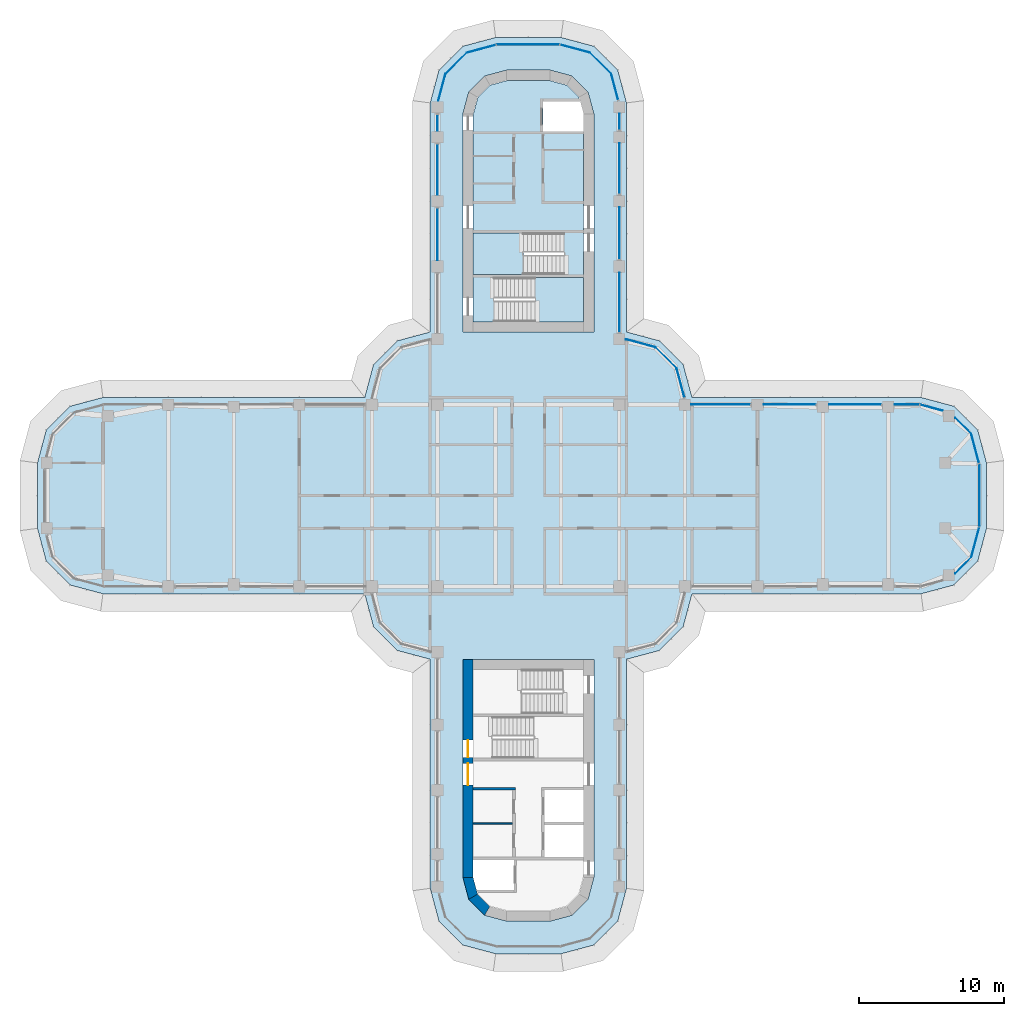
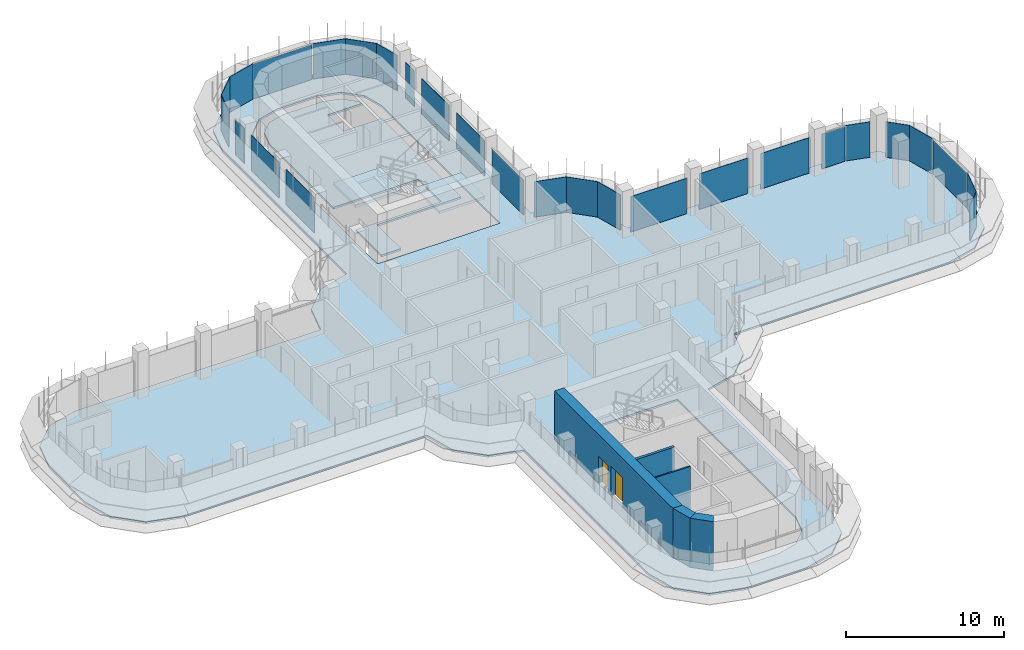
# One storey, part 12 of 19: 27 plates, 5 walls, 4 slabs, 2 doors, 2 openings, 21 elements without a shape of their own.
"""IFC4 building model written with IfcOpenShell, lengths in metres."""

from ifc_helpers import new_model, si_unit, direction, frame, frame_2d, origin, place, context, subcontext, project, spatial, polyline, rectangle, outline, extrude, source, transform, mapped, material, layer, layer_set, type_object, element, fill, aggregate, save


model = new_model("IFC4")

# Units and contexts
model_context = context("Model", 3, precision=1e-05, world=origin(), true_north=direction((0.0, 1.0)))
body_context = subcontext(model_context, "Body", "Model", "MODEL_VIEW")
ifc_project = project(units=[si_unit("LENGTHUNIT", "METRE"), si_unit("AREAUNIT", "SQUARE_METRE"), si_unit("VOLUMEUNIT", "CUBIC_METRE"), si_unit("PLANEANGLEUNIT", "RADIAN"), si_unit("MASSUNIT", "GRAM", prefix="KILO")], contexts=[model_context])

# Site, building, storey
site_placement = place(None, origin())
site = spatial("IfcSite", under=ifc_project, at=site_placement, CompositionType="ELEMENT")
building_placement = place(site_placement, origin())
building = spatial("IfcBuilding", under=site, at=building_placement, Name="Zarbagh Exchange Tower", CompositionType="ELEMENT")
storey_placement = place(building_placement, frame((0.0, 0.0, 160.0)))
storey = spatial("IfcBuildingStorey", under=building, at=storey_placement, Name="L38", CompositionType="ELEMENT", Elevation=160.0)

# Slabs
ifc_material_1 = material(Name="Concrete C40/50", Category="concrete")
ifc_layer_1 = layer(ifc_material_1, 0.14990234375)
ifc_layer_set_1 = layer_set([ifc_layer_1], Name="Composite floor slab 150 C40/50")
slab_type_1 = type_object("IfcSlabType", Name="Composite floor slab 150 C40/50", PredefinedType="FLOOR", material=ifc_layer_set_1)
slab_1_placement = place(storey_placement, frame((0.0, 0.0, -0.14990234375)))
element("IfcSlab", 1, at=slab_1_placement, inside=storey, type_object=slab_type_1, Name="S5 composite floor slab", PredefinedType="FLOOR", context=body_context, shape_type="SweptSolid", body=[
    extrude(outline(polyline([(-2.25, -31.5), (-4.5, -30.897216796875), (-6.147216796875, -29.25), (-6.75, -27.0), (-6.75, -11.25), (-9.0, -10.647216796875), (-10.647216796875, -9.0), (-11.25, -6.75), (-29.25, -6.75), (-31.5, -6.147216796875), (-33.147216796875, -4.5), (-33.75, -2.25), (-33.75, 2.25), (-33.147216796875, 4.5), (-31.5, 6.147216796875), (-29.25, 6.75), (-11.25, 6.75), (-10.647216796875, 9.0), (-9.0, 10.647216796875), (-6.75, 11.25), (-6.75, 27.0), (-6.147216796875, 29.25), (-4.5, 30.897216796875), (-2.25, 31.5), (2.25, 31.5), (4.5, 30.897216796875), (6.147216796875, 29.25), (6.75, 27.0), (6.75, 11.25), (9.0, 10.647216796875), (10.647216796875, 9.0), (11.25, 6.75), (27.0, 6.75), (29.25, 6.147216796875), (30.897216796875, 4.5), (31.5, 2.25), (31.5, -2.25), (30.897216796875, -4.5), (29.25, -6.147216796875), (27.0, -6.75), (11.25, -6.75), (10.647216796875, -9.0), (9.0, -10.647216796875), (6.75, -11.25), (6.75, -27.0), (6.147216796875, -29.25), (4.5, -30.897216796875), (2.25, -31.5), (-2.25, -31.5)]), holes=[polyline([(4.5, 11.25), (4.5, 26.25), (4.09814453125, 27.75), (3.0, 28.84814453125), (1.5, 29.25), (-1.5, 29.25), (-3.0, 28.84814453125), (-4.09814453125, 27.75), (-4.5, 26.25), (-4.5, 11.25), (4.5, 11.25)]), polyline([(-1.5, -29.25), (1.5, -29.25), (3.0, -28.84814453125), (4.09814453125, -27.75), (4.5, -26.25), (4.5, -11.25), (-4.5, -11.25), (-4.5, -26.25), (-4.09814453125, -27.75), (-3.0, -28.84814453125), (-1.5, -29.25)])]), origin(), (0.0, 0.0, 1.0), 0.14990234375),
])
ifc_layer_2 = layer(ifc_material_1, 0.14990234375)
ifc_layer_set_2 = layer_set([ifc_layer_2], Name="Core floor slab 150 C40/50")
slab_type_2 = type_object("IfcSlabType", Name="Core floor slab 150 C40/50", PredefinedType="FLOOR", material=ifc_layer_set_2)
slab_2_placement = place(storey_placement, frame((0.0, 0.0, -0.14990234375)))
element("IfcSlab", 2, at=slab_2_placement, inside=storey, type_object=slab_type_2, Name="S17 core N", PredefinedType="FLOOR", context=body_context, shape_type="SweptSolid", body=[
    extrude(outline(polyline([(-3.800048828125, 11.949951171875), (-3.800048828125, 15.199951171875), (2.449951171875, 15.199951171875), (2.449951171875, 18.050048828125), (-3.800048828125, 18.050048828125), (-3.800048828125, 26.15771484375), (-3.470458984375, 27.3876953125), (-2.6376953125, 28.220458984375), (-1.40771484375, 28.550048828125), (1.40771484375, 28.550048828125), (2.6376953125, 28.220458984375), (3.470458984375, 27.3876953125), (3.800048828125, 26.15771484375), (3.800048828125, 26.15771484375), (3.547607421875, 27.10009765625), (1.0, 27.10009765625), (1.0, 25.050048828125), (3.800048828125, 25.050048828125), (3.800048828125, 15.0), (-2.35009765625, 15.0), (-2.35009765625, 11.949951171875), (-3.800048828125, 11.949951171875)])), origin(), (0.0, 0.0, 1.0), 0.14990234375),
])

# Stair, slab
stair_type = type_object("IfcStairType", Name="Exit stair two-flight half-turn", PredefinedType="HALF_TURN_STAIR", material=ifc_material_1)
stair_1_placement = place(storey_placement, origin())
stair_1 = element("IfcStair", 3, at=stair_1_placement, inside=storey, type_object=stair_type, Name="exit stair ST1", PredefinedType="HALF_TURN_STAIR")
ifc_layer_3 = layer(ifc_material_1, 0.199951171875)
ifc_layer_set_3 = layer_set([ifc_layer_3], Name="Stair landing 200 mm")
slab_type_3 = type_object("IfcSlabType", Name="Stair landing 200 mm", PredefinedType="LANDING", material=ifc_layer_set_3)
slab_3_placement = place(storey_placement, frame((0.0, 0.0, 1.699951171875)))
slab_3 = element("IfcSlab", 4, at=slab_3_placement, type_object=slab_type_3, Name="ST1 landing 1", PredefinedType="LANDING", context=body_context, shape_type="SweptSolid", body=[
    extrude(outline(polyline([(-0.35009765625, 18.050048828125), (-3.800048828125, 18.050048828125), (-3.800048828125, 15.199951171875), (-0.35009765625, 15.199951171875), (-0.35009765625, 18.050048828125)])), origin(), (0.0, 0.0, 1.0), 0.199951171875),
])
aggregate(stair_1, [slab_3])

stair_2_placement = place(storey_placement, origin())
stair_2 = element("IfcStair", 5, at=stair_2_placement, inside=storey, type_object=stair_type, Name="exit stair ST2", PredefinedType="HALF_TURN_STAIR")
slab_4_placement = place(storey_placement, frame((0.0, 0.0, 1.699951171875)))
slab_4 = element("IfcSlab", 6, at=slab_4_placement, type_object=slab_type_3, Name="ST2 landing 1", PredefinedType="LANDING", context=body_context, shape_type="SweptSolid", body=[
    extrude(outline(polyline([(0.449951171875, 11.949951171875), (3.800048828125, 11.949951171875), (3.800048828125, 15.0), (0.449951171875, 15.0), (0.449951171875, 11.949951171875)])), origin(), (0.0, 0.0, 1.0), 0.199951171875),
])
aggregate(stair_2, [slab_4])

# Curtain wall, plate
ifc_material_2 = material(Name="Anodised aluminium frame and glazing", Category="aluminium")
curtain_wall_type = type_object("IfcCurtainWallType", Name="CWB Ribbon glazing, upper zones", PredefinedType="NOTDEFINED", material=ifc_material_2)
curtain_wall_1_placement = place(storey_placement, origin())
curtain_wall_1 = element("IfcCurtainWall", 7, at=curtain_wall_1_placement, inside=storey, type_object=curtain_wall_type, Name="CWB18 curtain wall", PredefinedType="NOTDEFINED")
ifc_material_3 = material(Name="Low-e double glazed unit, 6+12+6 mm")
ifc_layer_4 = layer(ifc_material_3, 0.031982421875)
ifc_layer_set_4 = layer_set([ifc_layer_4], Name="PAB Glazing panel, Low-e double glazed unit, 6+12+6 mm")
plate_type = type_object("IfcPlateType", Name="PAB Glazing panel, Low-e double glazed unit, 6+12+6 mm", PredefinedType="CURTAIN_PANEL", material=ifc_layer_set_4)
shared_shape_1 = source(origin(), body_context, "Body", "SweptSolid", [
    extrude(outline(polyline([(0.0, -0.01611328125), (2.061279296875, -0.01611328125), (2.061279296875, 0.01611328125), (0.0, 0.01611328125), (0.0, -0.01611328125)])), origin(), (0.0, 0.0, 1.0), 2.75),
])
placement = place(storey_placement, origin())
plate_1 = element("IfcPlate", 8, at=placement, type_object=plate_type, Name="CWB18 glazing panel 1.1", PredefinedType="CURTAIN_PANEL", context=body_context, shape_type="MappedRepresentation", body=[
    mapped(shared_shape_1, transform((10.19873046875, 8.7412109375, 0.0), x_axis=(-0.707106781187, 0.707106781187, 0.0), y_axis=(-0.707106781187, -0.707106781187, 0.0), z_axis=(0.0, 0.0, 1.0))),
])
aggregate(curtain_wall_1, [plate_1])

curtain_wall_2_placement = place(storey_placement, origin())
curtain_wall_2 = element("IfcCurtainWall", 9, at=curtain_wall_2_placement, inside=storey, type_object=curtain_wall_type, Name="CWB22 curtain wall", PredefinedType="NOTDEFINED")
plate_2 = element("IfcPlate", 10, at=placement, type_object=plate_type, Name="CWB22 glazing panel 1.1", PredefinedType="CURTAIN_PANEL", context=body_context, shape_type="MappedRepresentation", body=[
    mapped(shared_shape_1, transform((5.69873046875, 28.9912109375, 0.0), x_axis=(-0.707106781187, 0.707106781187, 0.0), y_axis=(-0.707106781187, -0.707106781187, 0.0), z_axis=(0.0, 0.0, 1.0))),
])
aggregate(curtain_wall_2, [plate_2])

curtain_wall_3_placement = place(storey_placement, origin())
curtain_wall_3 = element("IfcCurtainWall", 11, at=curtain_wall_3_placement, inside=storey, type_object=curtain_wall_type, Name="CWB26 curtain wall", PredefinedType="NOTDEFINED")
plate_3 = element("IfcPlate", 12, at=placement, type_object=plate_type, Name="CWB26 glazing panel 1.1", PredefinedType="CURTAIN_PANEL", context=body_context, shape_type="MappedRepresentation", body=[
    mapped(shared_shape_1, transform((-4.2412109375, 30.44873046875, 0.0), x_axis=(-0.707106781187, -0.707106781187, 0.0), y_axis=(0.707106781187, -0.707106781187, 0.0), z_axis=(0.0, 0.0, 1.0))),
])
aggregate(curtain_wall_3, [plate_3])

curtain_wall_4_placement = place(storey_placement, origin())
curtain_wall_4 = element("IfcCurtainWall", 13, at=curtain_wall_4_placement, inside=storey, type_object=curtain_wall_type, Name="CWB11 curtain wall", PredefinedType="NOTDEFINED")
shared_shape_2 = source(origin(), body_context, "Body", "SweptSolid", [
    extrude(outline(polyline([(0.0, -0.01611328125), (2.129638671875, -0.01611328125), (2.129638671875, 0.01611328125), (0.0, 0.01611328125), (0.0, -0.01611328125)])), origin(), (0.0, 0.0, 1.0), 2.75),
])
plate_4 = element("IfcPlate", 14, at=placement, type_object=plate_type, Name="CWB11 glazing panel 1.1", PredefinedType="CURTAIN_PANEL", context=body_context, shape_type="MappedRepresentation", body=[
    mapped(shared_shape_2, transform((30.44873046875, -4.2412109375, 0.0), x_axis=(0.258824779902, 0.965924289636, 0.0), y_axis=(-0.965924289636, 0.258824779902, 0.0), z_axis=(0.0, 0.0, 1.0))),
])
aggregate(curtain_wall_4, [plate_4])

curtain_wall_5_placement = place(storey_placement, origin())
curtain_wall_5 = element("IfcCurtainWall", 15, at=curtain_wall_5_placement, inside=storey, type_object=curtain_wall_type, Name="CWB23 curtain wall", PredefinedType="NOTDEFINED")
plate_5 = element("IfcPlate", 16, at=placement, type_object=plate_type, Name="CWB23 glazing panel 1.1", PredefinedType="CURTAIN_PANEL", context=body_context, shape_type="MappedRepresentation", body=[
    mapped(shared_shape_2, transform((4.2412109375, 30.44873046875, 0.0), x_axis=(-0.965924289636, 0.258824779902, 0.0), y_axis=(-0.258824779902, -0.965924289636, 0.0), z_axis=(0.0, 0.0, 1.0))),
])
aggregate(curtain_wall_5, [plate_5])

curtain_wall_6_placement = place(storey_placement, origin())
curtain_wall_6 = element("IfcCurtainWall", 17, at=curtain_wall_6_placement, inside=storey, type_object=curtain_wall_type, Name="CWB20 curtain wall", PredefinedType="NOTDEFINED")
shared_shape_3 = source(origin(), body_context, "Body", "SweptSolid", [
    extrude(outline(polyline([(0.0, -0.01611328125), (3.4599609375, -0.01611328125), (3.4599609375, 0.01611328125), (0.0, 0.01611328125), (0.0, -0.01611328125)])), origin(), (0.0, 0.0, 1.0), 2.75),
])
plate_6 = element("IfcPlate", 18, at=placement, type_object=plate_type, Name="CWB20 glazing panel 3.1", PredefinedType="CURTAIN_PANEL", context=body_context, shape_type="MappedRepresentation", body=[
    mapped(shared_shape_3, transform((6.25, 20.75, 0.0), x_axis=(0.0, 1.0, 0.0), y_axis=(-1.0, 0.0, 0.0), z_axis=(0.0, 0.0, 1.0))),
])

curtain_wall_7_placement = place(storey_placement, origin())
curtain_wall_7 = element("IfcCurtainWall", 19, at=curtain_wall_7_placement, inside=storey, type_object=curtain_wall_type, Name="CWB28 curtain wall", PredefinedType="NOTDEFINED")
plate_7 = element("IfcPlate", 20, at=placement, type_object=plate_type, Name="CWB28 glazing panel 2.1", PredefinedType="CURTAIN_PANEL", context=body_context, shape_type="MappedRepresentation", body=[
    mapped(shared_shape_3, transform((-6.25, 24.14990234375, 0.0), x_axis=(0.0, -1.0, 0.0), y_axis=(1.0, 0.0, 0.0), z_axis=(0.0, 0.0, 1.0))),
])

# Curtain wall, plates
curtain_wall_8_placement = place(storey_placement, origin())
curtain_wall_8 = element("IfcCurtainWall", 21, at=curtain_wall_8_placement, inside=storey, type_object=curtain_wall_type, Name="CWB16 curtain wall", PredefinedType="NOTDEFINED")
shared_shape_4 = source(origin(), body_context, "Body", "SweptSolid", [
    extrude(outline(polyline([(0.0, -0.01611328125), (3.56005859375, -0.01611328125), (3.56005859375, 0.01611328125), (0.0, 0.01611328125), (0.0, -0.01611328125)])), origin(), (0.0, 0.0, 1.0), 2.75),
])
plate_8 = element("IfcPlate", 22, at=placement, type_object=plate_type, Name="CWB16 glazing panel 2.1", PredefinedType="CURTAIN_PANEL", context=body_context, shape_type="MappedRepresentation", body=[
    mapped(shared_shape_4, transform((24.25, 6.25, 0.0), x_axis=(-1.0, 0.0, 0.0), y_axis=(0.0, -1.0, 0.0), z_axis=(0.0, 0.0, 1.0))),
])
plate_9 = element("IfcPlate", 23, at=placement, type_object=plate_type, Name="CWB16 glazing panel 3.1", PredefinedType="CURTAIN_PANEL", context=body_context, shape_type="MappedRepresentation", body=[
    mapped(shared_shape_4, transform((19.75, 6.25, 0.0), x_axis=(-1.0, 0.0, 0.0), y_axis=(0.0, -1.0, 0.0), z_axis=(0.0, 0.0, 1.0))),
])

# Plate
plate_10 = element("IfcPlate", 24, at=placement, type_object=plate_type, Name="CWB20 glazing panel 2.1", PredefinedType="CURTAIN_PANEL", context=body_context, shape_type="MappedRepresentation", body=[
    mapped(shared_shape_4, transform((6.25, 16.25, 0.0), x_axis=(0.0, 1.0, 0.0), y_axis=(-1.0, 0.0, 0.0), z_axis=(0.0, 0.0, 1.0))),
])

plate_11 = element("IfcPlate", 25, at=placement, type_object=plate_type, Name="CWB28 glazing panel 3.1", PredefinedType="CURTAIN_PANEL", context=body_context, shape_type="MappedRepresentation", body=[
    mapped(shared_shape_4, transform((-6.25, 19.75, 0.0), x_axis=(0.0, -1.0, 0.0), y_axis=(1.0, 0.0, 0.0), z_axis=(0.0, 0.0, 1.0))),
])

shared_shape_5 = source(origin(), body_context, "Body", "SweptSolid", [
    extrude(outline(polyline([(0.0, -0.01611328125), (4.06005859375, -0.01611328125), (4.06005859375, 0.01611328125), (0.0, 0.01611328125), (0.0, -0.01611328125)])), origin(), (0.0, 0.0, 1.0), 2.75),
])
plate_12 = element("IfcPlate", 26, at=placement, type_object=plate_type, Name="CWB16 glazing panel 4.1", PredefinedType="CURTAIN_PANEL", context=body_context, shape_type="MappedRepresentation", body=[
    mapped(shared_shape_5, transform((15.25, 6.25, 0.0), x_axis=(-1.0, 0.0, 0.0), y_axis=(0.0, -1.0, 0.0), z_axis=(0.0, 0.0, 1.0))),
])

# Curtain wall, plate
curtain_wall_9_placement = place(storey_placement, origin())
curtain_wall_9 = element("IfcCurtainWall", 27, at=curtain_wall_9_placement, inside=storey, type_object=curtain_wall_type, Name="CWB17 curtain wall", PredefinedType="NOTDEFINED")
shared_shape_6 = source(origin(), body_context, "Body", "SweptSolid", [
    extrude(outline(polyline([(0.0, -0.01611328125), (2.063720703125, -0.01611328125), (2.063720703125, 0.01611328125), (0.0, 0.01611328125), (0.0, -0.01611328125)])), origin(), (0.0, 0.0, 1.0), 2.75),
])
plate_13 = element("IfcPlate", 28, at=placement, type_object=plate_type, Name="CWB17 glazing panel 1.1", PredefinedType="CURTAIN_PANEL", context=body_context, shape_type="MappedRepresentation", body=[
    mapped(shared_shape_6, transform((10.73291015625, 6.748046875, 0.0), x_axis=(-0.258824779902, 0.965924289636, 0.0), y_axis=(-0.965924289636, -0.258824779902, 0.0), z_axis=(0.0, 0.0, 1.0))),
])
aggregate(curtain_wall_9, [plate_13])

curtain_wall_10_placement = place(storey_placement, origin())
curtain_wall_10 = element("IfcCurtainWall", 29, at=curtain_wall_10_placement, inside=storey, type_object=curtain_wall_type, Name="CWB19 curtain wall", PredefinedType="NOTDEFINED")
shared_shape_7 = source(origin(), body_context, "Body", "SweptSolid", [
    extrude(outline(polyline([(0.0, -0.01611328125), (2.12353515625, -0.01611328125), (2.12353515625, 0.01611328125), (0.0, 0.01611328125), (0.0, -0.01611328125)])), origin(), (0.0, 0.0, 1.0), 2.75),
])
plate_14 = element("IfcPlate", 30, at=placement, type_object=plate_type, Name="CWB19 glazing panel 1.1", PredefinedType="CURTAIN_PANEL", context=body_context, shape_type="MappedRepresentation", body=[
    mapped(shared_shape_7, transform((8.7412109375, 10.19873046875, 0.0), x_axis=(-0.965924289636, 0.258824779902, 0.0), y_axis=(-0.258824779902, -0.965924289636, 0.0), z_axis=(0.0, 0.0, 1.0))),
])
aggregate(curtain_wall_10, [plate_14])

# Plate
shared_shape_8 = source(origin(), body_context, "Body", "SweptSolid", [
    extrude(outline(polyline([(0.0, -0.01611328125), (4.06005859375, -0.01611328125), (4.06005859375, 0.01611328125), (0.0, 0.01611328125), (0.0, -0.01611328125)])), origin(), (0.0, 0.0, 1.0), 2.68994140625),
])
plate_15 = element("IfcPlate", 31, at=placement, type_object=plate_type, Name="CWB20 glazing panel 1.1", PredefinedType="CURTAIN_PANEL", context=body_context, shape_type="MappedRepresentation", body=[
    mapped(shared_shape_8, transform((6.25, 11.25, 0.0), x_axis=(0.0, 1.0, 0.0), y_axis=(-1.0, 0.0, 0.0), z_axis=(0.0, 0.0, 1.0))),
])

# Curtain wall, plate
curtain_wall_11_placement = place(storey_placement, origin())
curtain_wall_11 = element("IfcCurtainWall", 32, at=curtain_wall_11_placement, inside=storey, type_object=curtain_wall_type, Name="CWB10 curtain wall", PredefinedType="NOTDEFINED")
shared_shape_9 = source(origin(), body_context, "Body", "SweptSolid", [
    extrude(outline(polyline([(0.0, -0.01611328125), (1.556884765625, -0.01611328125), (1.556884765625, 0.01611328125), (0.0, 0.01611328125), (0.0, -0.01611328125)])), origin(), (0.0, 0.0, 1.0), 2.75),
])
plate_16 = element("IfcPlate", 33, at=placement, type_object=plate_type, Name="CWB10 glazing panel 1.1", PredefinedType="CURTAIN_PANEL", context=body_context, shape_type="MappedRepresentation", body=[
    mapped(shared_shape_9, transform((29.347900390625, -5.342041015625, 0.0), x_axis=(0.707106781187, 0.707106781187, 0.0), y_axis=(-0.707106781187, 0.707106781187, 0.0), z_axis=(0.0, 0.0, 1.0))),
])
aggregate(curtain_wall_11, [plate_16])

curtain_wall_12_placement = place(storey_placement, origin())
curtain_wall_12 = element("IfcCurtainWall", 34, at=curtain_wall_12_placement, inside=storey, type_object=curtain_wall_type, Name="CWB14 curtain wall", PredefinedType="NOTDEFINED")
plate_17 = element("IfcPlate", 35, at=placement, type_object=plate_type, Name="CWB14 glazing panel 1.1", PredefinedType="CURTAIN_PANEL", context=body_context, shape_type="MappedRepresentation", body=[
    mapped(shared_shape_9, transform((30.44873046875, 4.2412109375, 0.0), x_axis=(-0.707106781187, 0.707106781187, 0.0), y_axis=(-0.707106781187, -0.707106781187, 0.0), z_axis=(0.0, 0.0, 1.0))),
])
aggregate(curtain_wall_12, [plate_17])

curtain_wall_13_placement = place(storey_placement, origin())
curtain_wall_13 = element("IfcCurtainWall", 36, at=curtain_wall_13_placement, inside=storey, type_object=curtain_wall_type, Name="CWB12 curtain wall", PredefinedType="NOTDEFINED")
shared_shape_10 = source(origin(), body_context, "Body", "SweptSolid", [
    extrude(outline(polyline([(0.0, -0.01611328125), (4.308349609375, -0.01611328125), (4.308349609375, 0.01611328125), (0.0, 0.01611328125), (0.0, -0.01611328125)])), origin(), (0.0, 0.0, 1.0), 2.68994140625),
])
plate_18 = element("IfcPlate", 37, at=placement, type_object=plate_type, Name="CWB12 glazing panel 1.1", PredefinedType="CURTAIN_PANEL", context=body_context, shape_type="MappedRepresentation", body=[
    mapped(shared_shape_10, transform((31.0, -2.124267578125, 0.0), x_axis=(0.0, 1.0, 0.0), y_axis=(-1.0, 0.0, 0.0), z_axis=(0.0, 0.0, 1.0))),
])
aggregate(curtain_wall_13, [plate_18])

curtain_wall_14_placement = place(storey_placement, origin())
curtain_wall_14 = element("IfcCurtainWall", 38, at=curtain_wall_14_placement, inside=storey, type_object=curtain_wall_type, Name="CWB24 curtain wall", PredefinedType="NOTDEFINED")
plate_19 = element("IfcPlate", 39, at=placement, type_object=plate_type, Name="CWB24 glazing panel 1.1", PredefinedType="CURTAIN_PANEL", context=body_context, shape_type="MappedRepresentation", body=[
    mapped(shared_shape_10, transform((2.124267578125, 31.0, 0.0), x_axis=(-1.0, 0.0, 0.0), y_axis=(0.0, -1.0, 0.0), z_axis=(0.0, 0.0, 1.0))),
])
aggregate(curtain_wall_14, [plate_19])

curtain_wall_15_placement = place(storey_placement, origin())
curtain_wall_15 = element("IfcCurtainWall", 40, at=curtain_wall_15_placement, inside=storey, type_object=curtain_wall_type, Name="CWB13 curtain wall", PredefinedType="NOTDEFINED")
shared_shape_11 = source(origin(), body_context, "Body", "SweptSolid", [
    extrude(outline(polyline([(0.0, -0.01611328125), (2.069580078125, -0.01611328125), (2.069580078125, 0.01611328125), (0.0, 0.01611328125), (0.0, -0.01611328125)])), origin(), (0.0, 0.0, 1.0), 2.75),
])
plate_20 = element("IfcPlate", 41, at=placement, type_object=plate_type, Name="CWB13 glazing panel 1.1", PredefinedType="CURTAIN_PANEL", context=body_context, shape_type="MappedRepresentation", body=[
    mapped(shared_shape_11, transform((30.984375, 2.2421875, 0.0), x_axis=(-0.258824779902, 0.965924289636, 0.0), y_axis=(-0.965924289636, -0.258824779902, 0.0), z_axis=(0.0, 0.0, 1.0))),
])
aggregate(curtain_wall_15, [plate_20])

curtain_wall_16_placement = place(storey_placement, origin())
curtain_wall_16 = element("IfcCurtainWall", 42, at=curtain_wall_16_placement, inside=storey, type_object=curtain_wall_type, Name="CWB25 curtain wall", PredefinedType="NOTDEFINED")
plate_21 = element("IfcPlate", 43, at=placement, type_object=plate_type, Name="CWB25 glazing panel 1.1", PredefinedType="CURTAIN_PANEL", context=body_context, shape_type="MappedRepresentation", body=[
    mapped(shared_shape_11, transform((-2.2421875, 30.984375, 0.0), x_axis=(-0.965924289636, -0.258824779902, 0.0), y_axis=(0.258824779902, -0.965924289636, 0.0), z_axis=(0.0, 0.0, 1.0))),
])
aggregate(curtain_wall_16, [plate_21])

curtain_wall_17_placement = place(storey_placement, origin())
curtain_wall_17 = element("IfcCurtainWall", 44, at=curtain_wall_17_placement, inside=storey, type_object=curtain_wall_type, Name="CWB15 curtain wall", PredefinedType="NOTDEFINED")
shared_shape_12 = source(origin(), body_context, "Body", "SweptSolid", [
    extrude(outline(polyline([(0.0, -0.01611328125), (1.587890625, -0.01611328125), (1.587890625, 0.01611328125), (0.0, 0.01611328125), (0.0, -0.01611328125)])), origin(), (0.0, 0.0, 1.0), 2.75),
])
plate_22 = element("IfcPlate", 45, at=placement, type_object=plate_type, Name="CWB15 glazing panel 1.1", PredefinedType="CURTAIN_PANEL", context=body_context, shape_type="MappedRepresentation", body=[
    mapped(shared_shape_12, transform((28.468017578125, 5.839111328125, 0.0), x_axis=(-0.965924289636, 0.258824779902, 0.0), y_axis=(-0.258824779902, -0.965924289636, 0.0), z_axis=(0.0, 0.0, 1.0))),
])
aggregate(curtain_wall_17, [plate_22])

# Plate
shared_shape_13 = source(origin(), body_context, "Body", "SweptSolid", [
    extrude(outline(polyline([(0.0, -0.01611328125), (1.68408203125, -0.01611328125), (1.68408203125, 0.01611328125), (0.0, 0.01611328125), (0.0, -0.01611328125)])), origin(), (0.0, 0.0, 1.0), 2.68994140625),
])
plate_23 = element("IfcPlate", 46, at=placement, type_object=plate_type, Name="CWB16 glazing panel 1.1", PredefinedType="CURTAIN_PANEL", context=body_context, shape_type="MappedRepresentation", body=[
    mapped(shared_shape_13, transform((26.874267578125, 6.25, 0.0), x_axis=(-1.0, 0.0, 0.0), y_axis=(0.0, -1.0, 0.0), z_axis=(0.0, 0.0, 1.0))),
])

aggregate(curtain_wall_8, [plate_23, plate_8, plate_9, plate_12])

shared_shape_14 = source(origin(), body_context, "Body", "SweptSolid", [
    extrude(outline(polyline([(0.0, -0.01611328125), (1.110107421875, -0.01611328125), (1.110107421875, 0.01611328125), (0.0, 0.01611328125), (0.0, -0.01611328125)])), origin(), (0.0, 0.0, 1.0), 2.75),
])
plate_24 = element("IfcPlate", 47, at=placement, type_object=plate_type, Name="CWB20 glazing panel 4.1", PredefinedType="CURTAIN_PANEL", context=body_context, shape_type="MappedRepresentation", body=[
    mapped(shared_shape_14, transform((6.25, 25.150146484375, 0.0), x_axis=(0.0, 1.0, 0.0), y_axis=(-1.0, 0.0, 0.0), z_axis=(0.0, 0.0, 1.0))),
])

aggregate(curtain_wall_6, [plate_15, plate_10, plate_6, plate_24])

# Curtain wall, plate
curtain_wall_18_placement = place(storey_placement, origin())
curtain_wall_18 = element("IfcCurtainWall", 48, at=curtain_wall_18_placement, inside=storey, type_object=curtain_wall_type, Name="CWB21 curtain wall", PredefinedType="NOTDEFINED")
shared_shape_15 = source(origin(), body_context, "Body", "SweptSolid", [
    extrude(outline(polyline([(0.0, -0.01611328125), (1.8564453125, -0.01611328125), (1.8564453125, 0.01611328125), (0.0, 0.01611328125), (0.0, -0.01611328125)])), origin(), (0.0, 0.0, 1.0), 2.75),
])
plate_25 = element("IfcPlate", 49, at=placement, type_object=plate_type, Name="CWB21 glazing panel 1.1", PredefinedType="CURTAIN_PANEL", context=body_context, shape_type="MappedRepresentation", body=[
    mapped(shared_shape_15, transform((6.17919921875, 27.197998046875, 0.0), x_axis=(-0.258824779902, 0.965924289636, 0.0), y_axis=(-0.965924289636, -0.258824779902, 0.0), z_axis=(0.0, 0.0, 1.0))),
])
aggregate(curtain_wall_18, [plate_25])

curtain_wall_19_placement = place(storey_placement, origin())
curtain_wall_19 = element("IfcCurtainWall", 50, at=curtain_wall_19_placement, inside=storey, type_object=curtain_wall_type, Name="CWB27 curtain wall", PredefinedType="NOTDEFINED")
shared_shape_16 = source(origin(), body_context, "Body", "SweptSolid", [
    extrude(outline(polyline([(0.0, -0.01611328125), (1.91650390625, -0.01611328125), (1.91650390625, 0.01611328125), (0.0, 0.01611328125), (0.0, -0.01611328125)])), origin(), (0.0, 0.0, 1.0), 2.75),
])
plate_26 = element("IfcPlate", 51, at=placement, type_object=plate_type, Name="CWB27 glazing panel 1.1", PredefinedType="CURTAIN_PANEL", context=body_context, shape_type="MappedRepresentation", body=[
    mapped(shared_shape_16, transform((-5.69873046875, 28.9912109375, 0.0), x_axis=(-0.258824779902, -0.965924289636, 0.0), y_axis=(0.965924289636, -0.258824779902, 0.0), z_axis=(0.0, 0.0, 1.0))),
])
aggregate(curtain_wall_19, [plate_26])

# Plate
shared_shape_17 = source(origin(), body_context, "Body", "SweptSolid", [
    extrude(outline(polyline([(0.0, -0.01611328125), (1.110107421875, -0.01611328125), (1.110107421875, 0.01611328125), (0.0, 0.01611328125), (0.0, -0.01611328125)])), origin(), (0.0, 0.0, 1.0), 2.68994140625),
])
plate_27 = element("IfcPlate", 52, at=placement, type_object=plate_type, Name="CWB28 glazing panel 1.1", PredefinedType="CURTAIN_PANEL", context=body_context, shape_type="MappedRepresentation", body=[
    mapped(shared_shape_17, transform((-6.25, 26.199951171875, 0.0), x_axis=(0.0, -1.0, 0.0), y_axis=(1.0, 0.0, 0.0), z_axis=(0.0, 0.0, 1.0))),
])

aggregate(curtain_wall_7, [plate_27, plate_7, plate_11])

# Walls
ifc_material_4 = material(Name="Dense blockwork", Category="masonry")
ifc_layer_5 = layer(ifc_material_4, 0.10009765625)
ifc_layer_set_5 = layer_set([ifc_layer_5], Name="Core partition 100 mm blockwork")
wall_type_1 = type_object("IfcWallType", Name="Core partition 100 mm blockwork", PredefinedType="PARTITIONING", material=ifc_layer_set_5)
wall_1_placement = place(storey_placement, frame((-1.10009765625, -22.550048828125, 0.0), z_axis=(0.0, 0.0, 1.0), x_axis=(-1.0, 0.0, 0.0)))
element("IfcWall", 53, at=wall_1_placement, inside=storey, type_object=wall_type_1, Name="South core partition wall CUT-E-580", PredefinedType="PARTITIONING", context=body_context, shape_type="SweptSolid", body=[
    extrude(rectangle(XDim=2.699951171875, YDim=0.10009765625, at=frame_2d((1.35009765625, 0.0))), origin(), (0.0, 0.0, 1.0), 3.64990234375),
])
ifc_material_5 = material(Name="Concrete C50/60", Category="concrete")
ifc_layer_6 = layer(ifc_material_5, 0.699951171875)
ifc_layer_set_6 = layer_set([ifc_layer_6], Name="RC core corner wall 700 C50/60")
wall_type_2 = type_object("IfcWallType", Name="RC core corner wall 700 C50/60", PredefinedType="SHEAR", material=ifc_layer_set_6)
wall_2_placement = place(storey_placement, origin())
element("IfcWall", 54, at=wall_2_placement, inside=storey, type_object=wall_type_2, Name="CW6 core S corner W", PredefinedType="SHEAR", context=body_context, shape_type="SweptSolid", body=[
    extrude(outline(polyline([(-4.5, -26.25), (-4.09814453125, -27.75), (-3.491943359375, -27.39990234375), (-3.800048828125, -26.25), (-4.5, -26.25)])), origin(), (0.0, 0.0, 1.0), 3.800048828125),
])
wall_3_placement = place(storey_placement, origin())
element("IfcWall", 55, at=wall_3_placement, inside=storey, type_object=wall_type_2, Name="CW6 core S corner W", PredefinedType="SHEAR", context=body_context, shape_type="SweptSolid", body=[
    extrude(outline(polyline([(-4.09814453125, -27.75), (-3.0, -28.84814453125), (-2.64990234375, -28.241943359375), (-3.491943359375, -27.39990234375), (-4.09814453125, -27.75)])), origin(), (0.0, 0.0, 1.0), 3.800048828125),
])

# Wall, openings, doors
ifc_layer_7 = layer(ifc_material_5, 0.699951171875)
ifc_layer_set_7 = layer_set([ifc_layer_7], Name="RC core wall 700 C50/60")
wall_type_3 = type_object("IfcWallType", Name="RC core wall 700 C50/60", PredefinedType="SHEAR", material=ifc_layer_set_7)
wall_4_placement = place(storey_placement, frame((-4.14990234375, -11.25, 0.0), z_axis=(0.0, 0.0, 1.0), x_axis=(0.0, -1.0, 0.0)))
wall_4 = element("IfcWall", 56, at=wall_4_placement, inside=storey, type_object=wall_type_3, Name="CW5 core S W", PredefinedType="SHEAR", context=body_context, shape_type="SweptSolid", body=[
    extrude(rectangle(XDim=15.0, YDim=0.699951171875, at=frame_2d((7.5, 0.0))), origin(), (0.0, 0.0, 1.0), 3.800048828125),
])
opening_1_placement = place(wall_4_placement, frame((7.14990234375, 0.0, 0.0)))
opening_1 = element("IfcOpeningElement", 57, at=opening_1_placement, cuts=wall_4, Name="Opening CD1-1500", PredefinedType="OPENING", context=body_context, shape_type="SweptSolid", body=[
    extrude(rectangle(XDim=1.5, YDim=2.300048828125, at=frame_2d((0.75, 1.14990234375))), frame((0.0, 0.35986328125, 0.0), z_axis=(0.0, -1.0, 0.0), x_axis=(1.0, 0.0, 0.0)), (0.0, 0.0, 1.0), 0.719970703125),
])
opening_2_placement = place(wall_4_placement, frame((5.550048828125, 0.0, 0.0)))
opening_2 = element("IfcOpeningElement", 58, at=opening_2_placement, cuts=wall_4, Name="Opening SD1-1200", PredefinedType="OPENING", context=body_context, shape_type="SweptSolid", body=[
    extrude(rectangle(XDim=1.199951171875, YDim=2.10009765625, at=frame_2d((0.60009765625, 1.050048828125))), frame((0.0, 0.35986328125, 0.0), z_axis=(0.0, -1.0, 0.0), x_axis=(1.0, 0.0, 0.0)), (0.0, 0.0, 1.0), 0.719970703125),
])
ifc_material_6 = material(Name="Steel", Category="steel")
door_type_1 = type_object("IfcDoorType", Name="Exit stair door 1200 x 2100", OperationType="NOTDEFINED", PredefinedType="DOOR", material=ifc_material_6)
door_1_placement = place(opening_2_placement, origin())
door_1 = element("IfcDoor", 59, at=door_1_placement, inside=storey, type_object=door_type_1, Name="South core stair door ST1", OperationType="SINGLE_SWING_RIGHT", OverallHeight=2.10009765625, OverallWidth=1.199951171875, PredefinedType="DOOR", context=body_context, shape_type="SweptSolid", body=[
    extrude(rectangle(XDim=1.199951171875, YDim=2.10009765625, at=frame_2d((0.60009765625, 1.050048828125))), frame((0.0, 0.02490234375, 0.0), z_axis=(0.0, -1.0, 0.0), x_axis=(1.0, 0.0, 0.0)), (0.0, 0.0, 1.0), 0.050048828125),
])
fill(opening_2, door_1)
door_type_2 = type_object("IfcDoorType", Name="Lift lobby double door 1500 x 2300", OperationType="NOTDEFINED", PredefinedType="DOOR", material=ifc_material_6)
door_2_placement = place(opening_1_placement, origin())
door_2 = element("IfcDoor", 60, at=door_2_placement, inside=storey, type_object=door_type_2, Name="South core lift lobby door LOBBY-E", OperationType="DOUBLE_DOOR_SINGLE_SWING", OverallHeight=2.300048828125, OverallWidth=1.5, PredefinedType="DOOR", context=body_context, shape_type="SweptSolid", body=[
    extrude(rectangle(XDim=1.5, YDim=2.300048828125, at=frame_2d((0.75, 1.14990234375))), frame((0.0, 0.02490234375, 0.0), z_axis=(0.0, -1.0, 0.0), x_axis=(1.0, 0.0, 0.0)), (0.0, 0.0, 1.0), 0.050048828125),
])
fill(opening_1, door_2)

# Wall
ifc_layer_8 = layer(ifc_material_4, 0.199951171875)
ifc_layer_set_8 = layer_set([ifc_layer_8], Name="Shaft wall 200 mm blockwork")
wall_type_4 = type_object("IfcWallType", Name="Shaft wall 200 mm blockwork", PredefinedType="PARTITIONING", material=ifc_layer_set_8)
wall_5_placement = place(storey_placement, frame((-0.89990234375, -20.14990234375, 0.0), z_axis=(0.0, 0.0, 1.0), x_axis=(-1.0, 0.0, 0.0)))
element("IfcWall", 61, at=wall_5_placement, inside=storey, type_object=wall_type_4, Name="South core shaft wall AB-E", PredefinedType="PARTITIONING", context=body_context, shape_type="SweptSolid", body=[
    extrude(rectangle(XDim=2.900146484375, YDim=0.199951171875, at=frame_2d((1.4501953125, 0.0))), origin(), (0.0, 0.0, 1.0), 3.64990234375),
])

save(model, "model.ifc")
